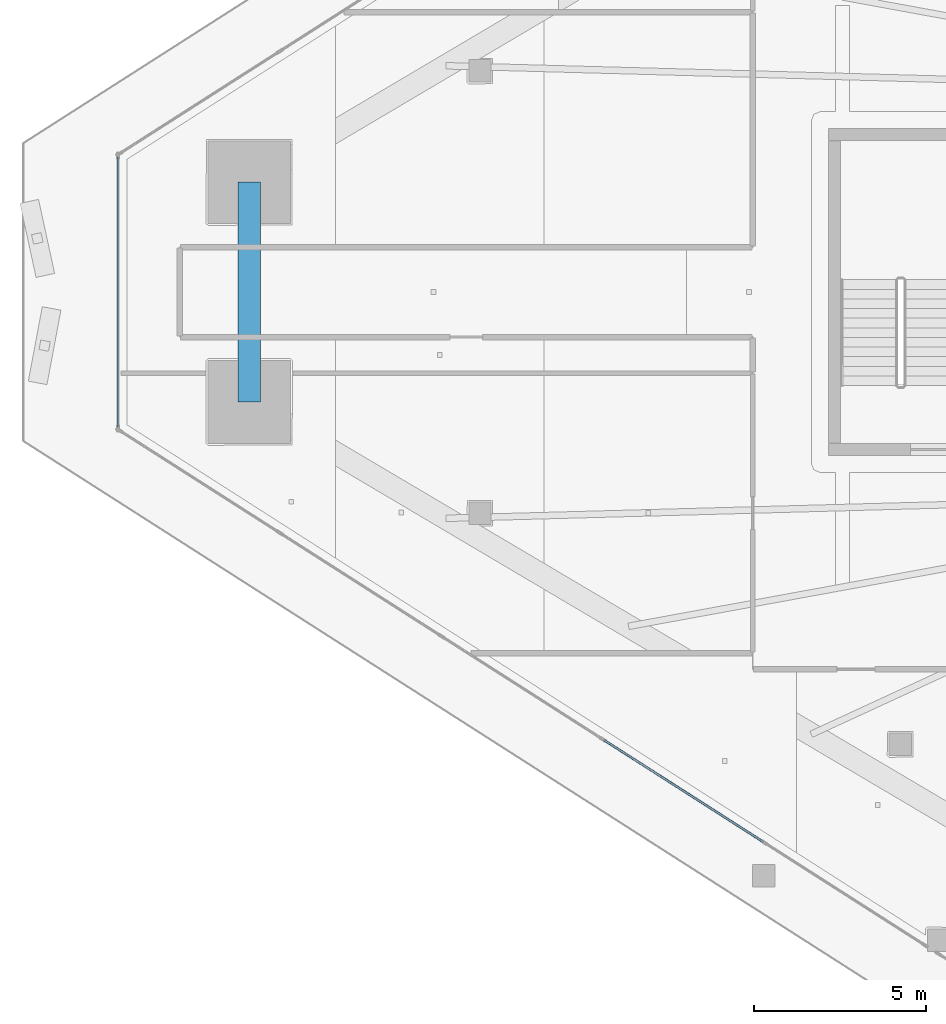
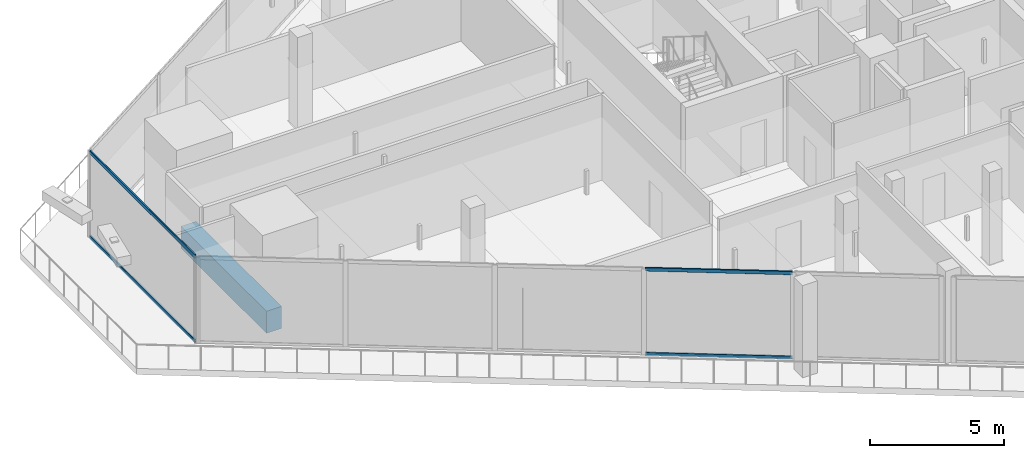
# One storey, part 4 of 47: 4 members, 1 beam, 2 elements without a shape of their own.
"""IFC4 building model written with IfcOpenShell, lengths in metres."""

from ifc_helpers import new_model, si_unit, direction, frame, origin, origin_2d, place, context, subcontext, project, spatial, rectangle, hollow_rectangle, extrude, material, layer, layer_set, material_profile, profile_set, type_object, element, aggregate, save


model = new_model("IFC4")

# Units and contexts
model_context = context("Model", 3, precision=1e-05, world=origin(), true_north=direction((0.0, 1.0)))
body_context = subcontext(model_context, "Body", "Model", "MODEL_VIEW")
ifc_project = project(units=[si_unit("LENGTHUNIT", "METRE"), si_unit("AREAUNIT", "SQUARE_METRE"), si_unit("VOLUMEUNIT", "CUBIC_METRE"), si_unit("PLANEANGLEUNIT", "RADIAN"), si_unit("MASSUNIT", "GRAM", prefix="KILO")], contexts=[model_context])

# Site, building, storey
site_placement = place(None, origin())
site = spatial("IfcSite", under=ifc_project, at=site_placement, CompositionType="ELEMENT")
building_placement = place(site_placement, origin())
building = spatial("IfcBuilding", under=site, at=building_placement, Name="Qorvath Tower", CompositionType="ELEMENT")
storey_placement = place(building_placement, frame((0.0, 0.0, 82.800048828125)))
storey = spatial("IfcBuildingStorey", under=building, at=storey_placement, Name="L18", CompositionType="ELEMENT", Elevation=82.800048828125)

# Beam
ifc_material_1 = material(Name="Concrete C50/60", Category="concrete")
ifc_material_profile_1 = material_profile(ifc_material_1, rectangle(XDim=0.64990234375, YDim=1.0, at=origin_2d()), Name="RCB 1000x650")
ifc_profile_set_1 = profile_set([ifc_material_profile_1], Name="Concrete C50/60")
beam_type = type_object("IfcBeamType", Name="BM-RCB1", PredefinedType="SPANDREL", material=ifc_profile_set_1)
beam_placement = place(storey_placement, frame((-55.282958984375, 3.194580078125, -0.780029296875), z_axis=(0.0, -1.0, 0.0), x_axis=(1.0, 0.0, 0.0)))
element("IfcBeam", 1, at=beam_placement, inside=storey, type_object=beam_type, Name="Perimeter Loggia Frame Beam MC1-MC2 L18", PredefinedType="SPANDREL", context=body_context, shape_type="SweptSolid", body=[
    extrude(rectangle(XDim=0.64990234375, YDim=1.0, at=origin_2d()), origin(), (0.0, 0.0, 1.0), 6.38916015625),
])

# Curtain wall, members
ifc_material_2 = material(Name="Anodised aluminium and triple low-E glass", Category="aluminium")
ifc_layer = layer(ifc_material_2, 0.179931640625)
ifc_layer_set = layer_set([ifc_layer], Name="CW-SYS-5")
curtain_wall_type = type_object("IfcCurtainWallType", Name="CW-SYS-5", PredefinedType="NOTDEFINED", material=ifc_layer_set)
curtain_wall_1_placement = place(storey_placement, origin())
curtain_wall_1 = element("IfcCurtainWall", 2, at=curtain_wall_1_placement, inside=storey, type_object=curtain_wall_type, Name="Curtain Wall CW-5 CW-T-L18-5.1", PredefinedType="NOTDEFINED")
ifc_material_3 = material(Name="Anodised aluminium 6063-T6", Category="aluminium")
ifc_material_profile_2 = material_profile(ifc_material_3, hollow_rectangle(XDim=0.06494140625, YDim=0.159912109375, WallThickness=0.00341796875, InnerFilletRadius=0.00341796875, OuterFilletRadius=0.007080078125, at=origin_2d()), Name="CWT 160x65")
ifc_profile_set_2 = profile_set([ifc_material_profile_2], Name="Anodised aluminium 6063-T6")
member_type = type_object("IfcMemberType", Name="CWT-160", PredefinedType="USERDEFINED", material=ifc_profile_set_2)
member_1_placement = place(storey_placement, frame((-59.094482421875, 3.919189453125, 0.032470703125), z_axis=(0.0, -1.0, 0.0), x_axis=(1.0, 0.0, 0.0)))
member_1 = element("IfcMember", 3, at=member_1_placement, type_object=member_type, Name="CW-5 transom 1.1", ObjectType="TRANSOM", PredefinedType="USERDEFINED", context=body_context, shape_type="SweptSolid", body=[
    extrude(hollow_rectangle(XDim=0.06494140625, YDim=0.159912109375, WallThickness=0.00341796875, InnerFilletRadius=0.00341796875, OuterFilletRadius=0.007080078125, at=origin_2d()), origin(), (0.0, 0.0, 1.0), 7.83837890625),
])
member_2_placement = place(storey_placement, frame((-59.094482421875, 3.919189453125, 3.887451171875), z_axis=(0.0, -1.0, 0.0), x_axis=(1.0, 0.0, 0.0)))
member_2 = element("IfcMember", 4, at=member_2_placement, type_object=member_type, Name="CW-5 transom 1.2", ObjectType="TRANSOM", PredefinedType="USERDEFINED", context=body_context, shape_type="SweptSolid", body=[
    extrude(hollow_rectangle(XDim=0.06494140625, YDim=0.159912109375, WallThickness=0.00341796875, InnerFilletRadius=0.00341796875, OuterFilletRadius=0.007080078125, at=origin_2d()), origin(), (0.0, 0.0, 1.0), 7.83837890625),
])
aggregate(curtain_wall_1, [member_1, member_2])

curtain_wall_2_placement = place(storey_placement, origin())
curtain_wall_2 = element("IfcCurtainWall", 5, at=curtain_wall_2_placement, inside=storey, type_object=curtain_wall_type, Name="Curtain Wall CW-5 CW-T-L18-6.1", PredefinedType="NOTDEFINED")
member_3_placement = place(storey_placement, frame((-44.979248046875, -13.015380859375, 0.032470703125), z_axis=(0.842602768102, -0.538535583956, 0.0), x_axis=(0.538535583956, 0.842602768102, 0.0)))
member_3 = element("IfcMember", 6, at=member_3_placement, type_object=member_type, Name="CW-5 transom 4.1", ObjectType="TRANSOM", PredefinedType="USERDEFINED", context=body_context, shape_type="SweptSolid", body=[
    extrude(hollow_rectangle(XDim=0.06494140625, YDim=0.159912109375, WallThickness=0.00341796875, InnerFilletRadius=0.00341796875, OuterFilletRadius=0.007080078125, at=origin_2d()), origin(), (0.0, 0.0, 1.0), 5.496826171875),
])
member_4_placement = place(storey_placement, frame((-44.979248046875, -13.015380859375, 3.887451171875), z_axis=(0.842602768102, -0.538535583956, 0.0), x_axis=(0.538535583956, 0.842602768102, 0.0)))
member_4 = element("IfcMember", 7, at=member_4_placement, type_object=member_type, Name="CW-5 transom 4.2", ObjectType="TRANSOM", PredefinedType="USERDEFINED", context=body_context, shape_type="SweptSolid", body=[
    extrude(hollow_rectangle(XDim=0.06494140625, YDim=0.159912109375, WallThickness=0.00341796875, InnerFilletRadius=0.00341796875, OuterFilletRadius=0.007080078125, at=origin_2d()), origin(), (0.0, 0.0, 1.0), 5.496826171875),
])
aggregate(curtain_wall_2, [member_3, member_4])

save(model, "model.ifc")
